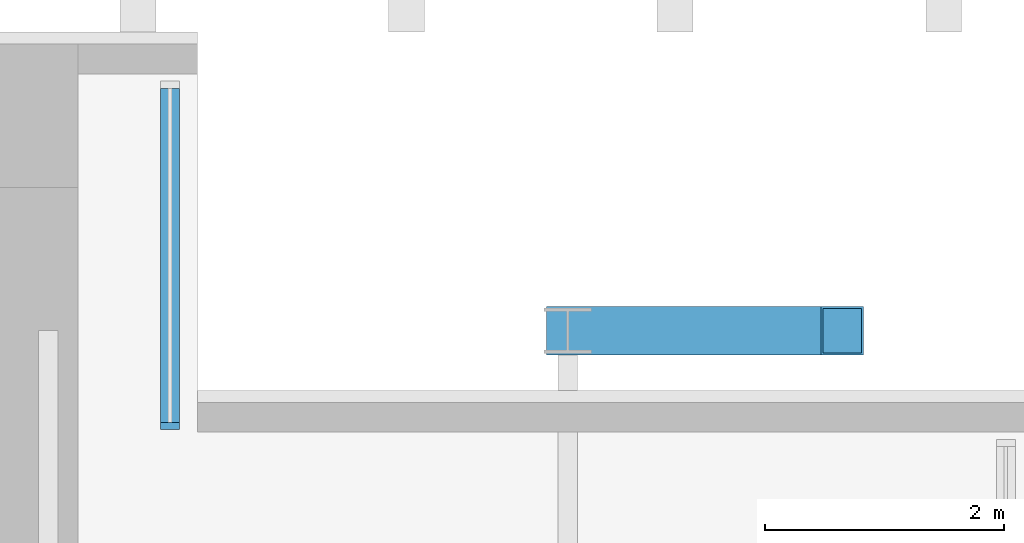
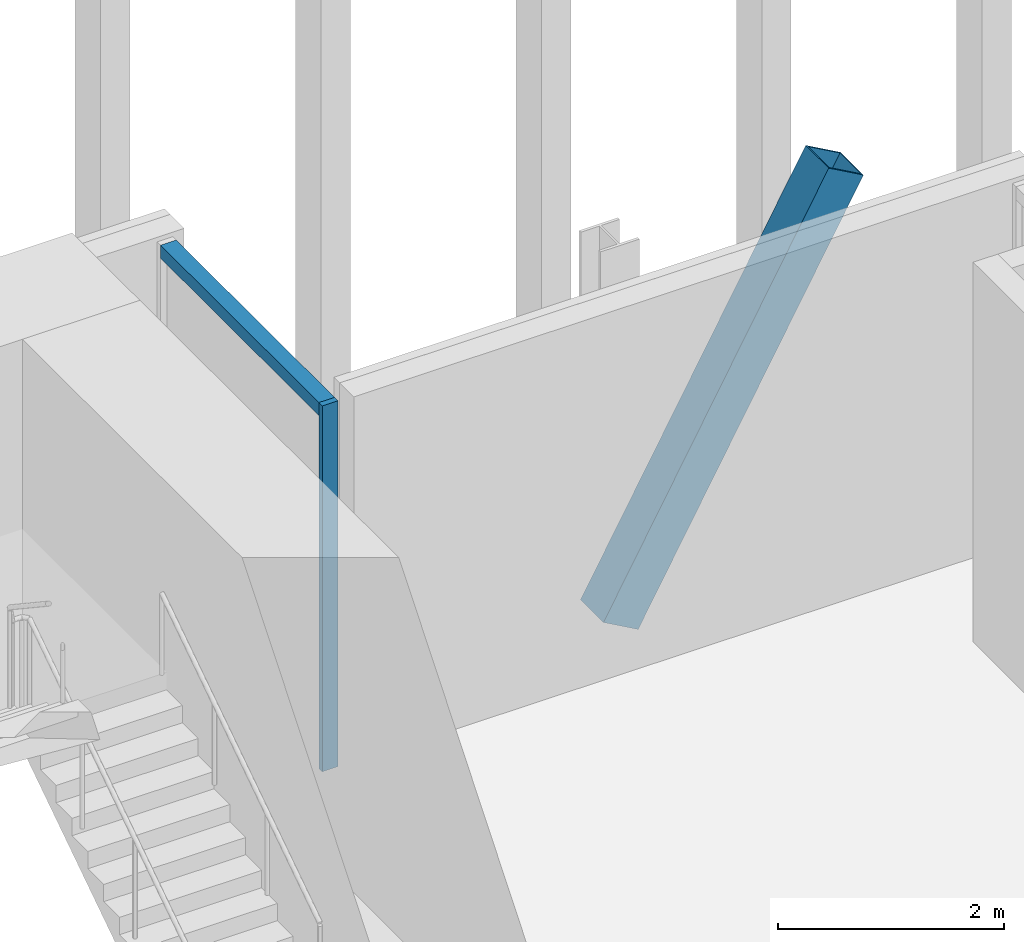
# One storey, part 20 of 33: 3 members, 1 element without a shape of its own.
"""IFC4 building model written with IfcOpenShell, lengths in metres."""

from ifc_helpers import new_model, si_unit, direction, frame, origin, origin_2d, place, context, subcontext, project, spatial, rectangle, hollow_rectangle, extrude, material, material_profile, profile_set, type_object, element, aggregate, save


model = new_model("IFC4")

# Units and contexts
model_context = context("Model", 3, precision=1e-05, world=origin(), true_north=direction((0.0, 1.0)))
body_context = subcontext(model_context, "Body", "Model", "MODEL_VIEW")
ifc_project = project(units=[si_unit("LENGTHUNIT", "METRE"), si_unit("AREAUNIT", "SQUARE_METRE"), si_unit("VOLUMEUNIT", "CUBIC_METRE"), si_unit("PLANEANGLEUNIT", "RADIAN"), si_unit("MASSUNIT", "GRAM", prefix="KILO")], contexts=[model_context])

# Site, building, storey
site_placement = place(None, origin())
site = spatial("IfcSite", under=ifc_project, at=site_placement, CompositionType="ELEMENT")
building_placement = place(site_placement, origin())
building = spatial("IfcBuilding", under=site, at=building_placement, Name="Bicima Exchange Tower", CompositionType="ELEMENT")
storey_placement = place(building_placement, frame((0.0, 0.0, 140.39990234375)))
storey = spatial("IfcBuildingStorey", under=building, at=storey_placement, Name="L30", CompositionType="ELEMENT", Elevation=140.39990234375)

# Curtain wall, members
ifc_material_1 = material(Name="Anodised bronze aluminium", Category="aluminium")
curtain_wall_type = type_object("IfcCurtainWallType", Name="Front glass wall", PredefinedType="NOTDEFINED", material=ifc_material_1)
curtain_wall_placement = place(storey_placement, origin())
curtain_wall = element("IfcCurtainWall", 1, at=curtain_wall_placement, inside=storey, type_object=curtain_wall_type, Name="Front glass wall L30 run 3", PredefinedType="NOTDEFINED")
ifc_material_profile_1 = material_profile(ifc_material_1, rectangle(XDim=0.159912109375, YDim=0.06005859375, at=origin_2d()))
ifc_profile_set_1 = profile_set([ifc_material_profile_1], Name="Anodised bronze aluminium")
member_type_1 = type_object("IfcMemberType", Name="Front glass wall mullion 60 x 160", PredefinedType="MULLION", material=ifc_profile_set_1)
member_1_placement = place(storey_placement, frame((22.77001953125, -3.199951171875, 0.0), z_axis=(0.0, 0.0, 1.0), x_axis=(-1.0, 0.0, 0.0)))
member_1 = element("IfcMember", 2, at=member_1_placement, type_object=member_type_1, Name="Front glass wall mullion 1", PredefinedType="MULLION", context=body_context, shape_type="SweptSolid", body=[
    extrude(rectangle(XDim=0.159912109375, YDim=0.06005859375, at=origin_2d()), origin(), (0.0, 0.0, 1.0), 3.9501953125),
])
ifc_material_profile_2 = material_profile(ifc_material_1, rectangle(XDim=0.159912109375, YDim=0.139892578125, at=origin_2d()))
ifc_profile_set_2 = profile_set([ifc_material_profile_2], Name="Anodised bronze aluminium")
member_type_2 = type_object("IfcMemberType", Name="Front glass wall transom 140 x 160", PredefinedType="USERDEFINED", material=ifc_profile_set_2)
member_2_placement = place(storey_placement, frame((22.77001953125, -3.169921875, 3.880126953125), z_axis=(0.0, 1.0, 0.0), x_axis=(-1.0, 0.0, 0.0)))
member_2 = element("IfcMember", 3, at=member_2_placement, type_object=member_type_2, Name="Front glass wall transom 1.1", ObjectType="TRANSOM", PredefinedType="USERDEFINED", context=body_context, shape_type="SweptSolid", body=[
    extrude(rectangle(XDim=0.159912109375, YDim=0.139892578125, at=origin_2d()), origin(), (0.0, 0.0, 1.0), 2.7998046875),
])
aggregate(curtain_wall, [member_1, member_2])

# Member
ifc_material_2 = material(Name="Steel ASTM A572 Gr 50", Category="steel")
ifc_material_profile_3 = material_profile(ifc_material_2, hollow_rectangle(XDim=0.406494140625, YDim=0.406494140625, WallThickness=0.017822265625, at=origin_2d()))
ifc_profile_set_3 = profile_set([ifc_material_profile_3], Name="Steel ASTM A572 Gr 50")
member_type_3 = type_object("IfcMemberType", Name="Mega brace HSS16x16x3/4", PredefinedType="BRACE", material=ifc_profile_set_3)
member_3_placement = place(storey_placement, frame((26.10009765625, -2.39990234375, 0.0), z_axis=(0.489210508179, 0.0, 0.872165740377), x_axis=(0.0, 1.0, 0.0)))
element("IfcMember", 4, at=member_3_placement, inside=storey, type_object=member_type_3, Name="Mega brace rear", PredefinedType="BRACE", context=body_context, shape_type="SweptSolid", body=[
    extrude(hollow_rectangle(XDim=0.406494140625, YDim=0.406494140625, WallThickness=0.017822265625, at=origin_2d()), origin(), (0.0, 0.0, 1.0), 4.701171875),
])

save(model, "model.ifc")
